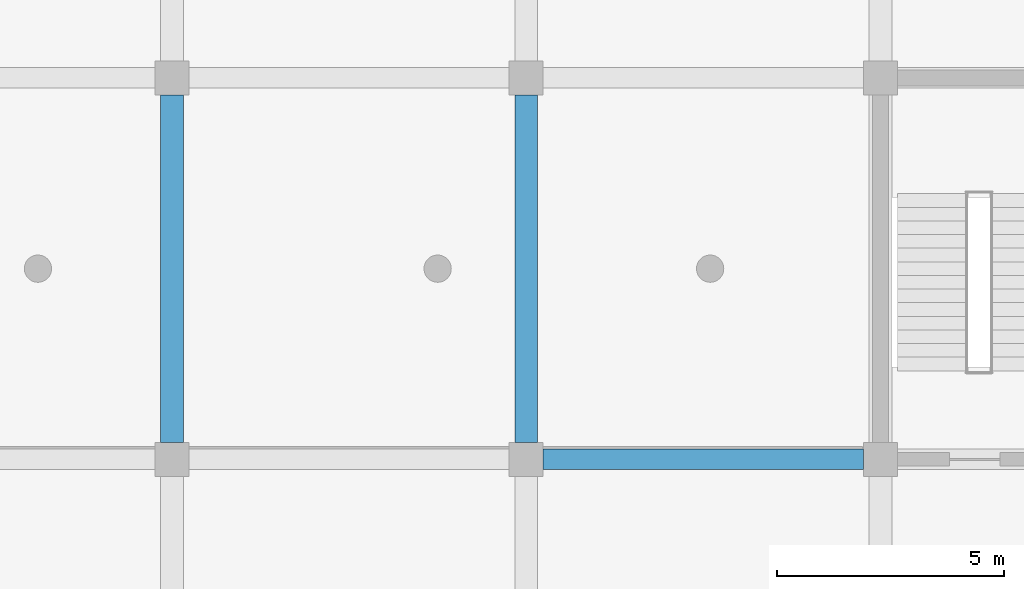
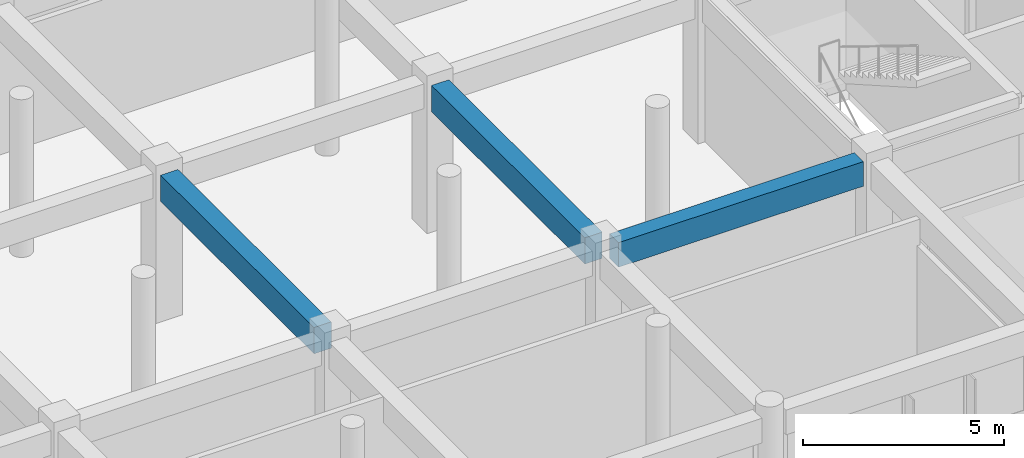
# One storey, part 16 of 175: 3 beams.
"""IFC4 building model written with IfcOpenShell, lengths in metres."""

from ifc_helpers import new_model, si_unit, direction, frame, origin, origin_2d, place, context, subcontext, project, spatial, rectangle, extrude, material, material_profile, profile_set, type_object, element, save


model = new_model("IFC4")

# Units and contexts
model_context = context("Model", 3, precision=1e-05, world=origin(), true_north=direction((0.0, 1.0)))
body_context = subcontext(model_context, "Body", "Model", "MODEL_VIEW")
ifc_project = project(units=[si_unit("LENGTHUNIT", "METRE"), si_unit("AREAUNIT", "SQUARE_METRE"), si_unit("VOLUMEUNIT", "CUBIC_METRE"), si_unit("PLANEANGLEUNIT", "RADIAN"), si_unit("MASSUNIT", "GRAM", prefix="KILO")], contexts=[model_context])

# Site, building, storey
site_placement = place(None, origin())
site = spatial("IfcSite", under=ifc_project, at=site_placement, CompositionType="ELEMENT")
building_placement = place(site_placement, origin())
building = spatial("IfcBuilding", under=site, at=building_placement, Name="Zizhar Promenade General Hospital", CompositionType="ELEMENT")
storey_placement = place(building_placement, frame((0.0, 0.0, 4.800048828125)))
storey = spatial("IfcBuildingStorey", under=building, at=storey_placement, Name="L01", CompositionType="ELEMENT", Elevation=4.800048828125)

# Beams
ifc_material_1 = material(Name="Concrete C35/45", Category="concrete")
ifc_material_profile_1 = material_profile(ifc_material_1, rectangle(XDim=0.449951171875, YDim=0.75, at=origin_2d()))
ifc_profile_set_1 = profile_set([ifc_material_profile_1], Name="Concrete C35/45")
beam_type_1 = type_object("IfcBeamType", Name="BM-RC-450x750", PredefinedType="BEAM", material=ifc_profile_set_1)
beam_placement = place(storey_placement, frame((39.375, 8.39990234375, 4.094970703125), z_axis=(1.0, 0.0, 0.0), x_axis=(0.0, 1.0, 0.0)))
element("IfcBeam", 1, at=beam_placement, inside=storey, type_object=beam_type_1, Name="Grid Beam X L01 (5-1)", PredefinedType="BEAM", context=body_context, shape_type="SweptSolid", body=[
    extrude(rectangle(XDim=0.449951171875, YDim=0.75, at=origin_2d()), origin(), (0.0, 0.0, 1.0), 7.050048828125),
])
ifc_material_2 = material(Name="Concrete C35/45", Category="concrete")
ifc_material_profile_2 = material_profile(ifc_material_2, rectangle(XDim=0.5, YDim=0.800048828125, at=origin_2d()))
ifc_profile_set_2 = profile_set([ifc_material_profile_2], Name="Concrete C35/45")
beam_type_2 = type_object("IfcBeamType", Name="BM-RC-500x800", PredefinedType="BEAM", material=ifc_profile_set_2)
for number, where, z_axis, x_axis, name in (
    (2, (31.199951171875, 8.77490234375, 4.070068359375), (0.0, 1.0, 0.0), (-1.0, 0.0, 0.0), "Grid Beam Y L01 (4-1)"),
    (3, (39.0, 8.77490234375, 4.070068359375), (0.0, 1.0, 0.0), (-1.0, 0.0, 0.0), "Grid Beam Y L01 (5-1)"),
):
    element("IfcBeam", number, at=place(storey_placement, frame(where, z_axis=z_axis, x_axis=x_axis)), inside=storey, type_object=beam_type_2, Name=name, PredefinedType="BEAM", context=body_context, shape_type="SweptSolid", body=[
        extrude(rectangle(XDim=0.5, YDim=0.800048828125, at=origin_2d()), origin(), (0.0, 0.0, 1.0), 7.650146484375),
    ])

save(model, "model.ifc")
